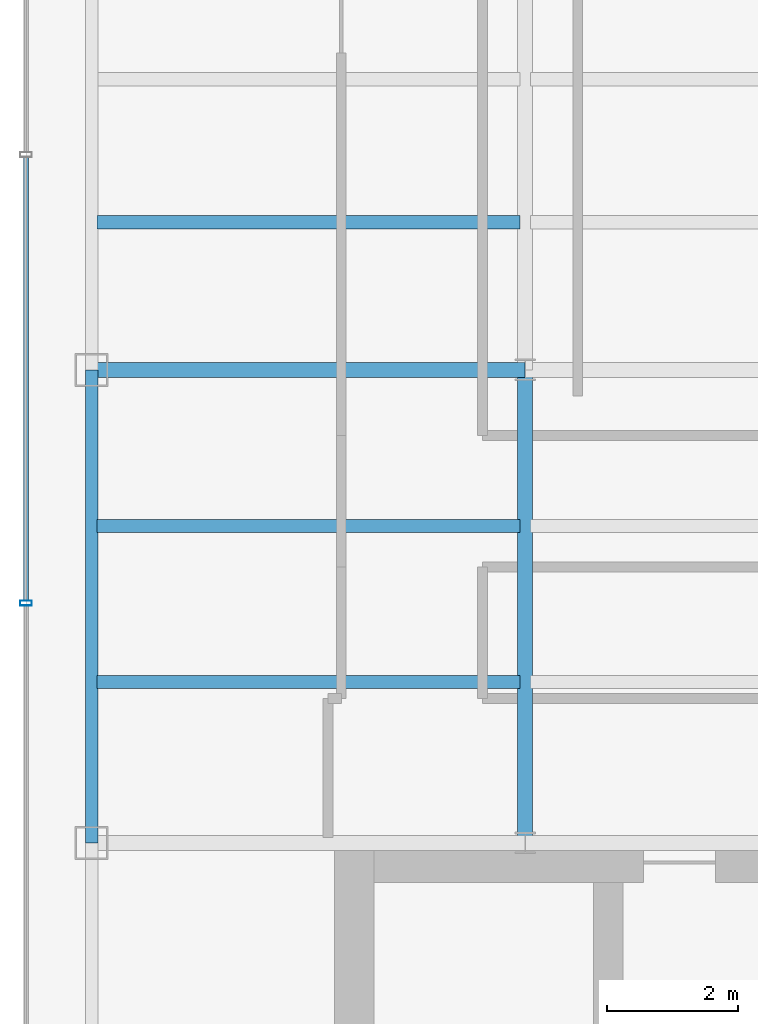
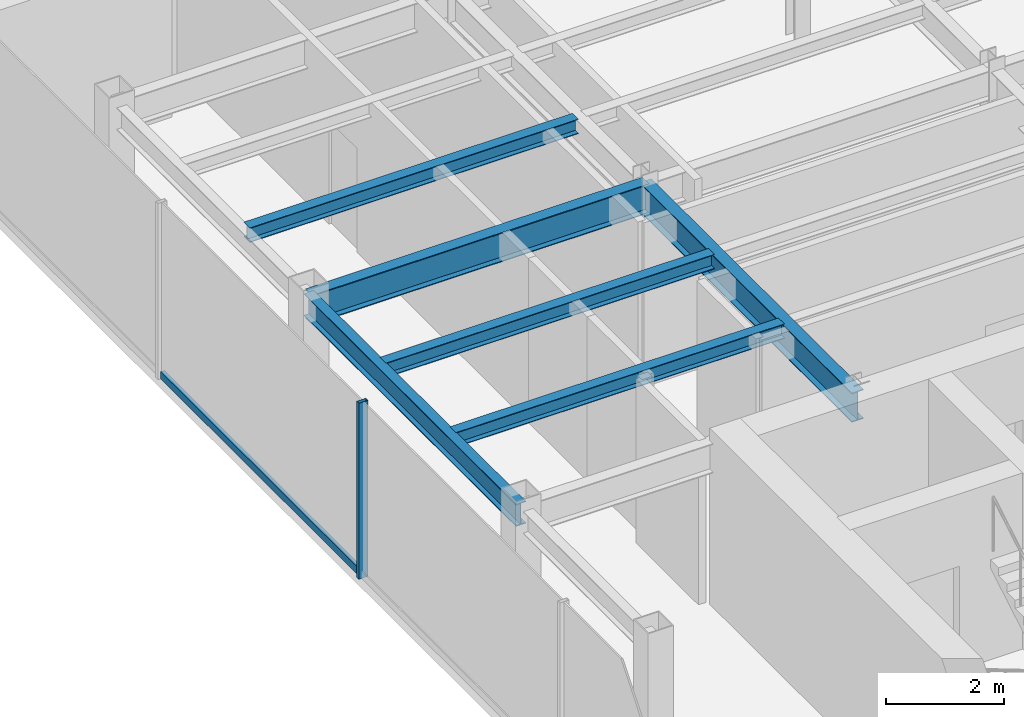
# One storey, part 5 of 22: 6 beams, 2 members, 1 element without a shape of its own.
"""IFC4 building model written with IfcOpenShell, lengths in metres."""

from ifc_helpers import new_model, si_unit, derived_unit, direction, frame, origin, origin_2d, place, context, subcontext, project, spatial, hollow_rectangle, i_section, extrude, source, transform, mapped, material, material_profile, profile_set, type_object, element, aggregate, save


model = new_model("IFC4")

# Units and contexts
model_context = context("Model", 3, precision=1e-05, world=origin(), true_north=direction((0.0, 1.0)))
body_context = subcontext(model_context, "Body", "Model", "MODEL_VIEW")
ifc_project = project(units=[si_unit("LENGTHUNIT", "METRE"), si_unit("AREAUNIT", "SQUARE_METRE"), si_unit("VOLUMEUNIT", "CUBIC_METRE"), si_unit("PLANEANGLEUNIT", "RADIAN"), si_unit("MASSUNIT", "GRAM", prefix="KILO"), derived_unit("THERMALTRANSMITTANCEUNIT", [(si_unit("POWERUNIT", "WATT"), 1), (si_unit("LENGTHUNIT", "METRE"), -2), (si_unit("THERMODYNAMICTEMPERATUREUNIT", "KELVIN"), -1)])], contexts=[model_context])

# Site, building, storey
site_placement = place(None, origin())
site = spatial("IfcSite", under=ifc_project, at=site_placement, CompositionType="ELEMENT")
building_placement = place(site_placement, origin())
building = spatial("IfcBuilding", under=site, at=building_placement, Name="Skarnbrae Concourse Arena and Tower", CompositionType="ELEMENT")
storey_placement = place(building_placement, frame((0.0, 0.0, 240.550048828125)))
storey = spatial("IfcBuildingStorey", under=building, at=storey_placement, Name="L62", CompositionType="ELEMENT", Elevation=240.550048828125)

# Beams
ifc_material_1 = material(Name="Steel CSA G40.21 350W", Category="steel")
ifc_material_profile_1 = material_profile(ifc_material_1, i_section(OverallWidth=0.22802734375, OverallDepth=0.60791015625, WebThickness=0.01123046875, FlangeThickness=0.017333984375, at=origin_2d()), Name="W610X113")
ifc_profile_set_1 = profile_set([ifc_material_profile_1], Name="Steel CSA G40.21 350W")
beam_type_1 = type_object("IfcBeamType", Name="BM-GIRD-W610X113", PredefinedType="BEAM", material=ifc_profile_set_1)
shared_shape_1 = source(origin(), body_context, "Body", "SweptSolid", [
    extrude(i_section(OverallWidth=0.22802734375, OverallDepth=0.60791015625, WebThickness=0.01123046875, FlangeThickness=0.017333984375, at=origin_2d()), origin(), (0.0, 0.0, 1.0), 6.60009765625),
])
beam_1_placement = place(storey_placement, frame((1.0, 21.199951171875, 3.095947265625), z_axis=(1.0, 0.0, 0.0), x_axis=(0.0, 1.0, 0.0)))
element("IfcBeam", 1, at=beam_1_placement, inside=storey, type_object=beam_type_1, Name="L62 Primary E-W girder Y21.2-1", PredefinedType="BEAM", context=body_context, shape_type="MappedRepresentation", body=[
    mapped(shared_shape_1, transform((0.0, 0.0, 0.0))),
])
ifc_material_profile_2 = material_profile(ifc_material_1, i_section(OverallWidth=0.19091796875, OverallDepth=0.4599609375, WebThickness=0.010009765625, FlangeThickness=0.01611328125, at=origin_2d()), Name="W460X82")
ifc_profile_set_2 = profile_set([ifc_material_profile_2], Name="Steel CSA G40.21 350W")
beam_type_2 = type_object("IfcBeamType", Name="BM-SPAN-W460X82", PredefinedType="SPANDREL", material=ifc_profile_set_2)
shared_shape_2 = source(origin(), body_context, "Body", "SweptSolid", [
    extrude(i_section(OverallWidth=0.19091796875, OverallDepth=0.4599609375, WebThickness=0.010009765625, FlangeThickness=0.01611328125, at=origin_2d()), origin(), (0.0, 0.0, 1.0), 7.199951171875),
])
beam_2_placement = place(storey_placement, frame((1.0, 14.0, 3.169921875), z_axis=(0.0, 1.0, 0.0), x_axis=(-1.0, 0.0, 0.0)))
element("IfcBeam", 2, at=beam_2_placement, inside=storey, type_object=beam_type_2, Name="L62 Perimeter spandrel X1.0-2", PredefinedType="SPANDREL", context=body_context, shape_type="MappedRepresentation", body=[
    mapped(shared_shape_2, transform((0.0, 0.0, 0.0))),
])
shared_shape_3 = source(origin(), body_context, "Body", "SweptSolid", [
    extrude(i_section(OverallWidth=0.22802734375, OverallDepth=0.60791015625, WebThickness=0.01123046875, FlangeThickness=0.017333984375, at=origin_2d()), origin(), (0.0, 0.0, 1.0), 7.199951171875),
])
beam_3_placement = place(storey_placement, frame((7.60009765625, 14.0, 3.095947265625), z_axis=(0.0, 1.0, 0.0), x_axis=(-1.0, 0.0, 0.0)))
element("IfcBeam", 3, at=beam_3_placement, inside=storey, type_object=beam_type_1, Name="L62 Primary N-S girder X7.6-1", PredefinedType="BEAM", context=body_context, shape_type="MappedRepresentation", body=[
    mapped(shared_shape_3, transform((0.0, 0.0, 0.0))),
])
ifc_material_profile_3 = material_profile(ifc_material_1, i_section(OverallWidth=0.202880859375, OverallDepth=0.302978515625, WebThickness=0.007568359375, FlangeThickness=0.01318359375, at=origin_2d()), Name="W310X60")
ifc_profile_set_3 = profile_set([ifc_material_profile_3], Name="Steel CSA G40.21 350W")
beam_type_3 = type_object("IfcBeamType", Name="BM-JOIST-W310X60", PredefinedType="JOIST", material=ifc_profile_set_3)
shared_shape_4 = source(origin(), body_context, "Body", "SweptSolid", [
    extrude(i_section(OverallWidth=0.202880859375, OverallDepth=0.302978515625, WebThickness=0.007568359375, FlangeThickness=0.01318359375, at=origin_2d()), origin(), (0.0, 0.0, 1.0), 6.43994140625),
])
for number, where, z_axis, x_axis, name in (
    (4, (1.080078125, 16.447998046875, 3.24853515625), (1.0, 0.0, 0.0), (0.0, 1.0, 0.0), "L62 Secondary floor joist 1.1.1"),
    (5, (1.080078125, 18.823974609375, 3.24853515625), (1.0, 0.0, 0.0), (0.0, 1.0, 0.0), "L62 Secondary floor joist 1.2.1"),
    (6, (1.080078125, 23.444091796875, 3.24853515625), (1.0, 0.0, 0.0), (0.0, 1.0, 0.0), "L62 Secondary floor joist 2.1.1"),
):
    element("IfcBeam", number, at=place(storey_placement, frame(where, z_axis=z_axis, x_axis=x_axis)), inside=storey, type_object=beam_type_3, Name=name, PredefinedType="JOIST", context=body_context, shape_type="MappedRepresentation", body=[
        mapped(shared_shape_4, transform((0.0, 0.0, 0.0))),
    ])

# Curtain wall, members
ifc_material_2 = material(Name="Bronze anodised aluminium 6063-T6", Category="aluminium")
curtain_wall_type = type_object("IfcCurtainWallType", Name="CW-SYS-05-HIGHZONE", PredefinedType="USERDEFINED", material=ifc_material_2)
curtain_wall_placement = place(storey_placement, origin())
curtain_wall = element("IfcCurtainWall", 7, at=curtain_wall_placement, inside=storey, type_object=curtain_wall_type, Name="L62 Unitised curtain wall CW-L62-E18", ObjectType="UNITISED CURTAIN WALL", PredefinedType="USERDEFINED")
ifc_material_profile_4 = material_profile(ifc_material_2, hollow_rectangle(XDim=0.074951171875, YDim=0.179931640625, WallThickness=0.00390625, at=origin_2d()), Name="ALU-MULL-75X180")
ifc_profile_set_4 = profile_set([ifc_material_profile_4], Name="Bronze anodised aluminium 6063-T6")
member_type_1 = type_object("IfcMemberType", Name="CWM-CW-05", PredefinedType="MULLION", material=ifc_profile_set_4)
shared_shape_5 = source(origin(), body_context, "Body", "SweptSolid", [
    extrude(hollow_rectangle(XDim=0.074951171875, YDim=0.179931640625, WallThickness=0.00390625, at=origin_2d()), origin(), (0.0, 0.0, 1.0), 3.64990234375),
])
member_1_placement = place(storey_placement, frame((0.0, 17.64990234375, 0.0), z_axis=(0.0, 0.0, 1.0), x_axis=(0.0, -1.0, 0.0)))
member_1 = element("IfcMember", 8, at=member_1_placement, type_object=member_type_1, Name="CW-L62-E18 Mullion 3", PredefinedType="MULLION", context=body_context, shape_type="MappedRepresentation", body=[
    mapped(shared_shape_5, transform((0.0, 0.0, 0.0))),
])
ifc_material_profile_5 = material_profile(ifc_material_2, hollow_rectangle(XDim=0.074951171875, YDim=0.14990234375, WallThickness=0.00390625, at=origin_2d()), Name="ALU-TRAN-75X150")
ifc_profile_set_5 = profile_set([ifc_material_profile_5], Name="Bronze anodised aluminium 6063-T6")
member_type_2 = type_object("IfcMemberType", Name="CWT-CW-05", PredefinedType="USERDEFINED", material=ifc_profile_set_5)
shared_shape_6 = source(origin(), body_context, "Body", "SweptSolid", [
    extrude(hollow_rectangle(XDim=0.074951171875, YDim=0.14990234375, WallThickness=0.00390625, at=origin_2d()), origin(), (0.0, 0.0, 1.0), 6.75),
])
member_2_placement = place(storey_placement, frame((0.0, 24.4375, 0.074951171875), z_axis=(0.0, -1.0, 0.0), x_axis=(1.0, 0.0, 0.0)))
member_2 = element("IfcMember", 9, at=member_2_placement, type_object=member_type_2, Name="CW-L62-E18 Transom 2", ObjectType="TRANSOM", PredefinedType="USERDEFINED", context=body_context, shape_type="MappedRepresentation", body=[
    mapped(shared_shape_6, transform((0.0, 0.0, 0.0))),
])
aggregate(curtain_wall, [member_1, member_2])

save(model, "model.ifc")
